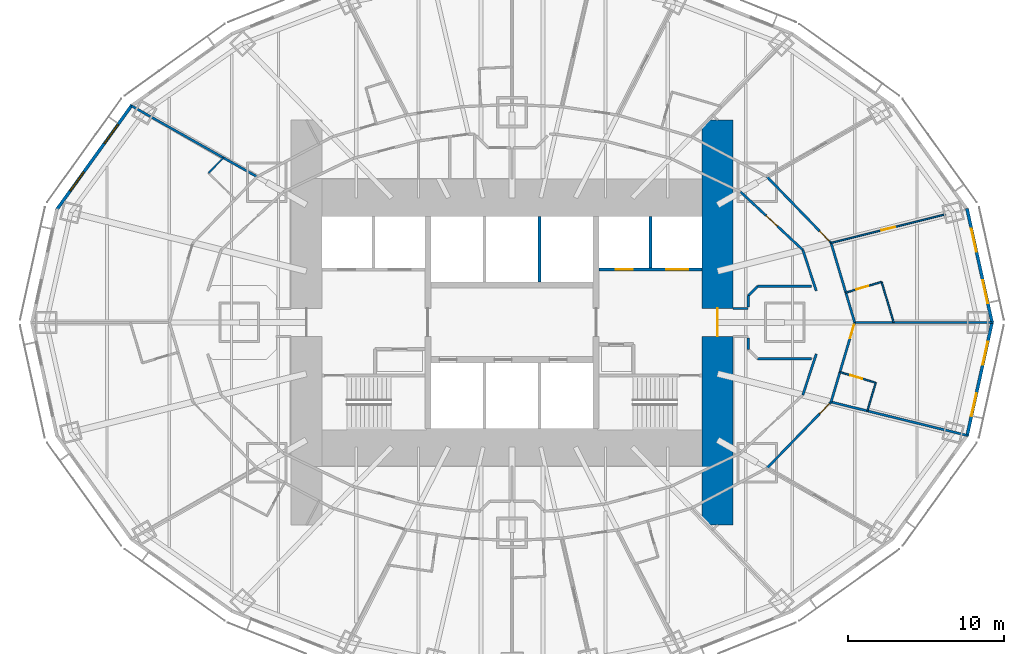
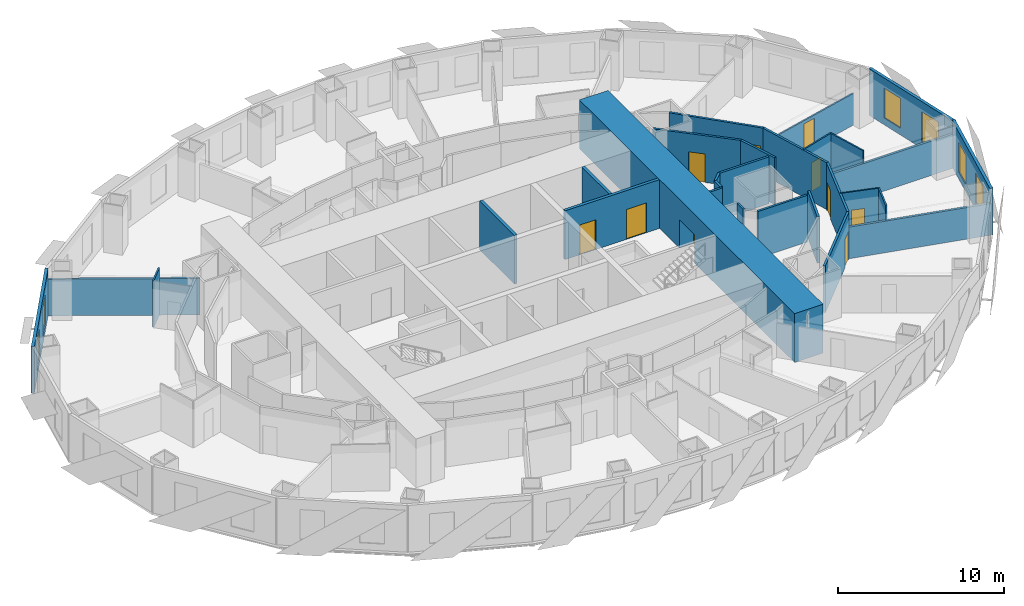
# One storey, part 8 of 15: 29 walls, 10 doors, 6 windows, 16 openings.
"""IFC4 building model written with IfcOpenShell, lengths in metres."""

from ifc_helpers import new_model, si_unit, direction, frame, frame_2d, origin, place, context, subcontext, project, spatial, rectangle, extrude, material, layer, layer_set, type_object, element, fill, save


model = new_model("IFC4")

# Units and contexts
model_context = context("Model", 3, precision=1e-05, world=origin(), true_north=direction((0.0, 1.0)))
body_context = subcontext(model_context, "Body", "Model", "MODEL_VIEW")
ifc_project = project(units=[si_unit("LENGTHUNIT", "METRE"), si_unit("AREAUNIT", "SQUARE_METRE"), si_unit("VOLUMEUNIT", "CUBIC_METRE"), si_unit("PLANEANGLEUNIT", "RADIAN"), si_unit("MASSUNIT", "GRAM", prefix="KILO")], contexts=[model_context])

# Site, building, storey
site_placement = place(None, origin())
site = spatial("IfcSite", under=ifc_project, at=site_placement, CompositionType="ELEMENT")
building_placement = place(site_placement, origin())
building = spatial("IfcBuilding", under=site, at=building_placement, Name="Lantaw Convention Tower", CompositionType="ELEMENT")
storey_placement = place(building_placement, frame((0.0, 0.0, 76.60009765625)))
storey = spatial("IfcBuildingStorey", under=building, at=storey_placement, Name="L17", CompositionType="ELEMENT", Elevation=76.60009765625)

# Wall, opening, door
ifc_material_1 = material(Name="Moisture resistant gypsum board on steel studs", Category="steel")
ifc_layer_1 = layer(ifc_material_1, 0.10009765625)
ifc_layer_set_1 = layer_set([ifc_layer_1], Name="Bathroom wall 100")
wall_type_1 = type_object("IfcWallType", Name="Bathroom wall 100", PredefinedType="PARTITIONING", material=ifc_layer_set_1)
wall_1_placement = place(storey_placement, frame((21.430908203125, 1.917236328125, 0.0), z_axis=(0.0, 0.0, 1.0), x_axis=(0.958639927723, 0.284621659356, 0.0)))
wall_1 = element("IfcWall", 1, at=wall_1_placement, inside=storey, type_object=wall_type_1, Name="Bathroom wall 100", PredefinedType="PARTITIONING", context=body_context, shape_type="SweptSolid", body=[
    extrude(rectangle(XDim=2.400146484375, YDim=0.10009765625, at=frame_2d((1.2001953125, 0.0))), origin(), (0.0, 0.0, 1.0), 3.449951171875),
])
opening_1_placement = place(wall_1_placement, frame((0.699951171875, 0.0, 0.0)))
opening_1 = element("IfcOpeningElement", 2, at=opening_1_placement, cuts=wall_1, Name="Opening L17.27", PredefinedType="OPENING", context=body_context, shape_type="SweptSolid", body=[
    extrude(rectangle(XDim=0.800048828125, YDim=2.10009765625, at=frame_2d((0.39990234375, 1.050048828125))), frame((0.0, 0.06005859375, 0.0), z_axis=(0.0, -1.0, 0.0), x_axis=(1.0, 0.0, 0.0)), (0.0, 0.0, 1.0), 0.1201171875),
])
ifc_material_2 = material(Name="Timber", Category="wood")
door_type_1 = type_object("IfcDoorType", Name="Bathroom door 800", OperationType="SINGLE_SWING_LEFT", PredefinedType="DOOR", material=ifc_material_2)
door_1_placement = place(opening_1_placement, origin())
door_1 = element("IfcDoor", 3, at=door_1_placement, inside=storey, type_object=door_type_1, Name="Bathroom door", OperationType="SINGLE_SWING_LEFT", OverallHeight=2.10009765625, OverallWidth=0.800048828125, PredefinedType="DOOR", context=body_context, shape_type="SweptSolid", body=[
    extrude(rectangle(XDim=0.800048828125, YDim=2.10009765625, at=frame_2d((0.39990234375, 1.050048828125))), frame((0.0, 0.02490234375, 0.0), z_axis=(0.0, -1.0, 0.0), x_axis=(1.0, 0.0, 0.0)), (0.0, 0.0, 1.0), 0.050048828125),
])
fill(opening_1, door_1)

# Walls
wall_2_placement = place(storey_placement, frame((23.731689453125, 2.600341796875, 0.0), z_axis=(0.0, 0.0, 1.0), x_axis=(0.284514277473, -0.958671803025, 0.0)))
element("IfcWall", 4, at=wall_2_placement, inside=storey, type_object=wall_type_1, Name="Bathroom wall 100", PredefinedType="PARTITIONING", context=body_context, shape_type="SweptSolid", body=[
    extrude(rectangle(XDim=2.71240234375, YDim=0.10009765625, at=frame_2d((1.356201171875, 0.0))), origin(), (0.0, 0.0, 1.0), 3.449951171875),
])
wall_3_placement = place(storey_placement, frame((-19.484375, 9.587646484375, 0.0), z_axis=(0.0, 0.0, 1.0), x_axis=(0.695920174922, 0.718119147591, 0.0)))
element("IfcWall", 5, at=wall_3_placement, inside=storey, type_object=wall_type_1, Name="Bathroom wall 100", PredefinedType="PARTITIONING", context=body_context, shape_type="SweptSolid", body=[
    extrude(rectangle(XDim=1.3857421875, YDim=0.10009765625, at=frame_2d((0.69287109375, 0.0))), origin(), (0.0, 0.0, 1.0), 3.449951171875),
])

# Wall, opening, door
wall_4_placement = place(storey_placement, frame((21.052978515625, -3.18994140625, 0.0), z_axis=(0.0, 0.0, 1.0), x_axis=(0.958667679126, -0.284528172593, 0.0)))
wall_4 = element("IfcWall", 6, at=wall_4_placement, inside=storey, type_object=wall_type_1, Name="Bathroom wall 100", PredefinedType="PARTITIONING", context=body_context, shape_type="SweptSolid", body=[
    extrude(rectangle(XDim=2.39990234375, YDim=0.10009765625, at=frame_2d((1.199951171875, 0.0))), origin(), (0.0, 0.0, 1.0), 3.449951171875),
])
opening_2_placement = place(wall_4_placement, frame((0.699951171875, 0.0, 0.0)))
opening_2 = element("IfcOpeningElement", 7, at=opening_2_placement, cuts=wall_4, Name="Opening L17.54", PredefinedType="OPENING", context=body_context, shape_type="SweptSolid", body=[
    extrude(rectangle(XDim=0.800048828125, YDim=2.10009765625, at=frame_2d((0.39990234375, 1.050048828125))), frame((0.0, 0.06005859375, 0.0), z_axis=(0.0, -1.0, 0.0), x_axis=(1.0, 0.0, 0.0)), (0.0, 0.0, 1.0), 0.1201171875),
])
door_2_placement = place(opening_2_placement, origin())
door_2 = element("IfcDoor", 8, at=door_2_placement, inside=storey, type_object=door_type_1, Name="Bathroom door", OperationType="SINGLE_SWING_LEFT", OverallHeight=2.10009765625, OverallWidth=0.800048828125, PredefinedType="DOOR", context=body_context, shape_type="SweptSolid", body=[
    extrude(rectangle(XDim=0.800048828125, YDim=2.10009765625, at=frame_2d((0.39990234375, 1.050048828125))), frame((0.0, 0.02490234375, 0.0), z_axis=(0.0, -1.0, 0.0), x_axis=(1.0, 0.0, 0.0)), (0.0, 0.0, 1.0), 0.050048828125),
])
fill(opening_2, door_2)

# Wall
wall_5_placement = place(storey_placement, frame((23.353759765625, -3.872802734375, 0.0), z_axis=(0.0, 0.0, 1.0), x_axis=(-0.284496480535, -0.958677084613, 0.0)))
element("IfcWall", 9, at=wall_5_placement, inside=storey, type_object=wall_type_1, Name="Bathroom wall 100", PredefinedType="PARTITIONING", context=body_context, shape_type="SweptSolid", body=[
    extrude(rectangle(XDim=1.89404296875, YDim=0.10009765625, at=frame_2d((0.947021484375, 0.0))), origin(), (0.0, 0.0, 1.0), 3.449951171875),
])

# Wall, opening, door
ifc_material_3 = material(Name="Concrete C60/75", Category="concrete")
ifc_layer_2 = layer(ifc_material_3, 2.0)
ifc_layer_set_2 = layer_set([ifc_layer_2], Name="Core wall 2000")
wall_type_2 = type_object("IfcWallType", Name="Core wall 2000", PredefinedType="SHEAR", material=ifc_layer_set_2)
wall_6_placement = place(storey_placement, frame((13.199951171875, -13.0, 0.0), z_axis=(0.0, 0.0, 1.0), x_axis=(0.0, 1.0, 0.0)))
wall_6 = element("IfcWall", 10, at=wall_6_placement, inside=storey, type_object=wall_type_2, Name="Core wall E", PredefinedType="SHEAR", context=body_context, shape_type="SweptSolid", body=[
    extrude(rectangle(XDim=26.0, YDim=2.0, at=frame_2d((13.0, 0.0))), origin(), (0.0, 0.0, 1.0), 3.599853515625),
])
opening_3_placement = place(wall_6_placement, frame((12.10009765625, 0.0, 0.0)))
opening_3 = element("IfcOpeningElement", 11, at=opening_3_placement, cuts=wall_6, Name="Opening L17.07", PredefinedType="OPENING", context=body_context, shape_type="SweptSolid", body=[
    extrude(rectangle(XDim=1.800048828125, YDim=2.10009765625, at=frame_2d((0.89990234375, 1.050048828125))), frame((0.0, 1.010009765625, 0.0), z_axis=(0.0, -1.0, 0.0), x_axis=(1.0, 0.0, 0.0)), (0.0, 0.0, 1.0), 2.02001953125),
])
ifc_material_4 = material(Name="Steel, fire rated", Category="steel")
door_type_2 = type_object("IfcDoorType", Name="Lobby double door FD90", OperationType="DOUBLE_DOOR_DOUBLE_SWING", PredefinedType="DOOR", material=ifc_material_4)
door_3_placement = place(opening_3_placement, origin())
door_3 = element("IfcDoor", 12, at=door_3_placement, inside=storey, type_object=door_type_2, Name="Firefighting lobby door", OperationType="DOUBLE_DOOR_DOUBLE_SWING", OverallHeight=2.10009765625, OverallWidth=1.800048828125, PredefinedType="DOOR", context=body_context, shape_type="SweptSolid", body=[
    extrude(rectangle(XDim=1.800048828125, YDim=2.10009765625, at=frame_2d((0.89990234375, 1.050048828125))), frame((0.0, 0.02490234375, 0.0), z_axis=(0.0, -1.0, 0.0), x_axis=(1.0, 0.0, 0.0)), (0.0, 0.0, 1.0), 0.050048828125),
])
fill(opening_3, door_3)

# Wall
ifc_material_5 = material(Name="Gypsum board on steel studs, fire rated", Category="steel")
ifc_layer_3 = layer(ifc_material_5, 0.14990234375)
ifc_layer_set_3 = layer_set([ifc_layer_3], Name="Corridor wall 150 EI 60")
wall_type_3 = type_object("IfcWallType", Name="Corridor wall 150 EI 60", PredefinedType="PARTITIONING", material=ifc_layer_set_3)
wall_7_placement = place(storey_placement, frame((22.0, 0.0, 0.0), z_axis=(0.0, 0.0, 1.0), x_axis=(-0.284584469409, 0.95865096869, 0.0)))
element("IfcWall", 13, at=wall_7_placement, inside=storey, type_object=wall_type_3, Name="Corridor wall 150", PredefinedType="PARTITIONING", context=body_context, shape_type="SweptSolid", body=[
    extrude(rectangle(XDim=5.327392578125, YDim=0.14990234375, at=frame_2d((2.66357421875, 0.0))), origin(), (0.0, 0.0, 1.0), 3.449951171875),
])

# Wall, opening, door
wall_8_placement = place(storey_placement, frame((20.48388671875, 5.107177734375, 0.0), z_axis=(0.0, 0.0, 1.0), x_axis=(-0.695871090686, 0.71816671125, 0.0)))
wall_8 = element("IfcWall", 14, at=wall_8_placement, inside=storey, type_object=wall_type_3, Name="Corridor wall 150", PredefinedType="PARTITIONING", context=body_context, shape_type="SweptSolid", body=[
    extrude(rectangle(XDim=5.9130859375, YDim=0.14990234375, at=frame_2d((2.95654296875, 0.0))), origin(), (0.0, 0.0, 1.0), 3.449951171875),
])
opening_4_placement = place(wall_8_placement, frame((0.14990234375, 0.0, 0.0)))
opening_4 = element("IfcOpeningElement", 15, at=opening_4_placement, cuts=wall_8, Name="Opening L17.30", PredefinedType="OPENING", context=body_context, shape_type="SweptSolid", body=[
    extrude(rectangle(XDim=0.89990234375, YDim=2.10009765625, at=frame_2d((0.449951171875, 1.050048828125))), frame((0.0, 0.0849609375, 0.0), z_axis=(0.0, -1.0, 0.0), x_axis=(1.0, 0.0, 0.0)), (0.0, 0.0, 1.0), 0.169921875),
])
door_type_3 = type_object("IfcDoorType", Name="Guest room entrance door FD30S", OperationType="SINGLE_SWING_LEFT", PredefinedType="DOOR", material=ifc_material_4)
door_4_placement = place(opening_4_placement, origin())
door_4 = element("IfcDoor", 16, at=door_4_placement, inside=storey, type_object=door_type_3, Name="Suite entrance door", OperationType="SINGLE_SWING_LEFT", OverallHeight=2.10009765625, OverallWidth=0.89990234375, PredefinedType="DOOR", context=body_context, shape_type="SweptSolid", body=[
    extrude(rectangle(XDim=0.89990234375, YDim=2.10009765625, at=frame_2d((0.449951171875, 1.050048828125))), frame((0.0, 0.02490234375, 0.0), z_axis=(0.0, -1.0, 0.0), x_axis=(1.0, 0.0, 0.0)), (0.0, 0.0, 1.0), 0.050048828125),
])
fill(opening_4, door_4)

wall_9_placement = place(storey_placement, frame((16.369140625, -9.353759765625, 0.0), z_axis=(0.0, 0.0, 1.0), x_axis=(0.695871090686, 0.71816671125, 0.0)))
wall_9 = element("IfcWall", 17, at=wall_9_placement, inside=storey, type_object=wall_type_3, Name="Corridor wall 150", PredefinedType="PARTITIONING", context=body_context, shape_type="SweptSolid", body=[
    extrude(rectangle(XDim=5.9130859375, YDim=0.14990234375, at=frame_2d((2.95654296875, 0.0))), origin(), (0.0, 0.0, 1.0), 3.449951171875),
])
opening_5_placement = place(wall_9_placement, frame((4.863037109375, 0.0, 0.0)))
opening_5 = element("IfcOpeningElement", 18, at=opening_5_placement, cuts=wall_9, Name="Opening L17.53", PredefinedType="OPENING", context=body_context, shape_type="SweptSolid", body=[
    extrude(rectangle(XDim=0.89990234375, YDim=2.10009765625, at=frame_2d((0.449951171875, 1.050048828125))), frame((0.0, 0.0849609375, 0.0), z_axis=(0.0, -1.0, 0.0), x_axis=(1.0, 0.0, 0.0)), (0.0, 0.0, 1.0), 0.169921875),
])
door_5_placement = place(opening_5_placement, origin())
door_5 = element("IfcDoor", 19, at=door_5_placement, inside=storey, type_object=door_type_3, Name="Suite entrance door", OperationType="SINGLE_SWING_LEFT", OverallHeight=2.10009765625, OverallWidth=0.89990234375, PredefinedType="DOOR", context=body_context, shape_type="SweptSolid", body=[
    extrude(rectangle(XDim=0.89990234375, YDim=2.10009765625, at=frame_2d((0.449951171875, 1.050048828125))), frame((0.0, 0.02490234375, 0.0), z_axis=(0.0, -1.0, 0.0), x_axis=(1.0, 0.0, 0.0)), (0.0, 0.0, 1.0), 0.050048828125),
])
fill(opening_5, door_5)

wall_10_placement = place(storey_placement, frame((20.48388671875, -5.107177734375, 0.0), z_axis=(0.0, 0.0, 1.0), x_axis=(0.284584469409, 0.95865096869, 0.0)))
wall_10 = element("IfcWall", 20, at=wall_10_placement, inside=storey, type_object=wall_type_3, Name="Corridor wall 150", PredefinedType="PARTITIONING", context=body_context, shape_type="SweptSolid", body=[
    extrude(rectangle(XDim=5.327392578125, YDim=0.14990234375, at=frame_2d((2.66357421875, 0.0))), origin(), (0.0, 0.0, 1.0), 3.449951171875),
])
opening_6_placement = place(wall_10_placement, frame((4.277587890625, 0.0, 0.0)))
opening_6 = element("IfcOpeningElement", 21, at=opening_6_placement, cuts=wall_10, Name="Opening L17.55", PredefinedType="OPENING", context=body_context, shape_type="SweptSolid", body=[
    extrude(rectangle(XDim=0.89990234375, YDim=2.10009765625, at=frame_2d((0.449951171875, 1.050048828125))), frame((0.0, 0.0849609375, 0.0), z_axis=(0.0, -1.0, 0.0), x_axis=(1.0, 0.0, 0.0)), (0.0, 0.0, 1.0), 0.169921875),
])
door_6_placement = place(opening_6_placement, origin())
door_6 = element("IfcDoor", 22, at=door_6_placement, inside=storey, type_object=door_type_3, Name="Guest room entrance door", OperationType="SINGLE_SWING_LEFT", OverallHeight=2.10009765625, OverallWidth=0.89990234375, PredefinedType="DOOR", context=body_context, shape_type="SweptSolid", body=[
    extrude(rectangle(XDim=0.89990234375, YDim=2.10009765625, at=frame_2d((0.449951171875, 1.050048828125))), frame((0.0, 0.02490234375, 0.0), z_axis=(0.0, -1.0, 0.0), x_axis=(1.0, 0.0, 0.0)), (0.0, 0.0, 1.0), 0.050048828125),
])
fill(opening_6, door_6)

wall_11_placement = place(storey_placement, frame((18.671630859375, 4.6552734375, 0.0), z_axis=(0.0, 0.0, 1.0), x_axis=(-0.731260145007, 0.682098673452, 0.0)))
wall_11 = element("IfcWall", 23, at=wall_11_placement, inside=storey, type_object=wall_type_3, Name="Corridor wall 150", PredefinedType="PARTITIONING", context=body_context, shape_type="SweptSolid", body=[
    extrude(rectangle(XDim=5.4677734375, YDim=0.14990234375, at=frame_2d((2.73388671875, 0.0))), origin(), (0.0, 0.0, 1.0), 3.449951171875),
])
opening_7_placement = place(wall_11_placement, frame((2.23388671875, 0.0, 0.0)))
opening_7 = element("IfcOpeningElement", 24, at=opening_7_placement, cuts=wall_11, Name="Opening L17.16", PredefinedType="OPENING", context=body_context, shape_type="SweptSolid", body=[
    extrude(rectangle(XDim=1.0, YDim=2.10009765625, at=frame_2d((0.5, 1.050048828125))), frame((0.0, 0.0849609375, 0.0), z_axis=(0.0, -1.0, 0.0), x_axis=(1.0, 0.0, 0.0)), (0.0, 0.0, 1.0), 0.169921875),
])
door_type_4 = type_object("IfcDoorType", Name="Service door 1000 FD30", OperationType="SINGLE_SWING_LEFT", PredefinedType="DOOR", material=ifc_material_4)
door_7_placement = place(opening_7_placement, origin())
door_7 = element("IfcDoor", 25, at=door_7_placement, inside=storey, type_object=door_type_4, Name="Linen store door", OperationType="SINGLE_SWING_LEFT", OverallHeight=2.10009765625, OverallWidth=1.0, PredefinedType="DOOR", context=body_context, shape_type="SweptSolid", body=[
    extrude(rectangle(XDim=1.0, YDim=2.10009765625, at=frame_2d((0.5, 1.050048828125))), frame((0.0, 0.02490234375, 0.0), z_axis=(0.0, -1.0, 0.0), x_axis=(1.0, 0.0, 0.0)), (0.0, 0.0, 1.0), 0.050048828125),
])
fill(opening_7, door_7)

# Walls
for number, where, z_axis, x_axis, name in (
    (26, (19.533447265625, 2.0302734375, 0.0), (0.0, 0.0, 1.0), (-0.311929965981, 0.950105097515, 0.0), "Corridor wall 150"),
    (27, (18.671630859375, -4.6552734375, 0.0), (0.0, 0.0, 1.0), (0.311929965981, 0.950105097515, 0.0), "Corridor wall 150"),
):
    element("IfcWall", number, at=place(storey_placement, frame(where, z_axis=z_axis, x_axis=x_axis)), inside=storey, type_object=wall_type_3, Name=name, PredefinedType="PARTITIONING", context=body_context, shape_type="SweptSolid", body=[
        extrude(rectangle(XDim=2.762939453125, YDim=0.14990234375, at=frame_2d((1.38134765625, 0.0))), origin(), (0.0, 0.0, 1.0), 3.449951171875),
    ])
wall_12_placement = place(storey_placement, frame((14.199951171875, 0.89990234375, 0.0), z_axis=(0.0, 0.0, 1.0), x_axis=(1.0, 0.0, 0.0)))
element("IfcWall", 28, at=wall_12_placement, inside=storey, type_object=wall_type_3, Name="Corridor wall 150", PredefinedType="PARTITIONING", context=body_context, shape_type="SweptSolid", body=[
    extrude(rectangle(XDim=0.965087890625, YDim=0.14990234375, at=frame_2d((0.482421875, 0.0))), origin(), (0.0, 0.0, 1.0), 3.449951171875),
])
wall_13_placement = place(storey_placement, frame((15.175048828125, 1.003173828125, 0.0), z_axis=(0.0, 0.0, 1.0), x_axis=(0.0, 1.0, 0.0)))
element("IfcWall", 29, at=wall_13_placement, inside=storey, type_object=wall_type_3, Name="Corridor wall 150", PredefinedType="PARTITIONING", context=body_context, shape_type="SweptSolid", body=[
    extrude(rectangle(XDim=0.721435546875, YDim=0.14990234375, at=frame_2d((0.36083984375, 0.0))), origin(), (0.0, 0.0, 1.0), 3.449951171875),
])
wall_14_placement = place(storey_placement, frame((15.175048828125, 1.724609375, 0.0), z_axis=(0.0, 0.0, 1.0), x_axis=(0.707106781187, 0.707106781187, 0.0)))
element("IfcWall", 30, at=wall_14_placement, inside=storey, type_object=wall_type_3, Name="Corridor wall 150", PredefinedType="PARTITIONING", context=body_context, shape_type="SweptSolid", body=[
    extrude(rectangle(XDim=0.84912109375, YDim=0.14990234375, at=frame_2d((0.424560546875, 0.0))), origin(), (0.0, 0.0, 1.0), 3.449951171875),
])
for number, where, z_axis, x_axis, name in (
    (31, (15.775390625, 2.324951171875, 0.0), (0.0, 0.0, 1.0), (1.0, 0.0, 0.0), "Corridor wall 150"),
    (32, (19.224609375, -2.324951171875, 0.0), (0.0, 0.0, 1.0), (-1.0, 0.0, 0.0), "Corridor wall 150"),
):
    element("IfcWall", number, at=place(storey_placement, frame(where, z_axis=z_axis, x_axis=x_axis)), inside=storey, type_object=wall_type_3, Name=name, PredefinedType="PARTITIONING", context=body_context, shape_type="SweptSolid", body=[
        extrude(rectangle(XDim=3.44921875, YDim=0.14990234375, at=frame_2d((1.724609375, 0.0))), origin(), (0.0, 0.0, 1.0), 3.449951171875),
    ])
wall_15_placement = place(storey_placement, frame((15.175048828125, -1.724609375, 0.0), z_axis=(0.0, 0.0, 1.0), x_axis=(0.0, 1.0, 0.0)))
element("IfcWall", 33, at=wall_15_placement, inside=storey, type_object=wall_type_3, Name="Corridor wall 150", PredefinedType="PARTITIONING", context=body_context, shape_type="SweptSolid", body=[
    extrude(rectangle(XDim=0.721435546875, YDim=0.14990234375, at=frame_2d((0.36083984375, 0.0))), origin(), (0.0, 0.0, 1.0), 3.449951171875),
])

# Wall, openings, windows
ifc_material_6 = material(Name="Insulated aluminium panel on steel frame", Category="steel")
ifc_layer_4 = layer(ifc_material_6, 0.199951171875)
ifc_layer_set_4 = layer_set([ifc_layer_4], Name="External wall 200")
wall_type_4 = type_object("IfcWallType", Name="External wall 200", PredefinedType="SOLIDWALL", material=ifc_layer_set_4)
wall_16_placement = place(storey_placement, frame((30.83544921875, -0.06689453125, 0.0), z_axis=(0.0, 0.0, 1.0), x_axis=(-0.215238065514, 0.976561608478, 0.0)))
wall_16 = element("IfcWall", 34, at=wall_16_placement, inside=storey, type_object=wall_type_4, Name="Facade panel wall", PredefinedType="SOLIDWALL", context=body_context, shape_type="SweptSolid", body=[
    extrude(rectangle(XDim=7.562255859375, YDim=0.199951171875, at=frame_2d((3.78125, 0.0))), origin(), (0.0, 0.0, 1.0), 3.449951171875),
])
opening_8_placement = place(wall_16_placement, frame((1.340576171875, 0.0, 0.5)))
opening_8 = element("IfcOpeningElement", 35, at=opening_8_placement, cuts=wall_16, Name="Opening W2", PredefinedType="OPENING", context=body_context, shape_type="SweptSolid", body=[
    extrude(rectangle(XDim=1.5, YDim=2.199951171875, at=frame_2d((0.75, 1.10009765625))), frame((0.0, 0.10986328125, 0.0), z_axis=(0.0, -1.0, 0.0), x_axis=(1.0, 0.0, 0.0)), (0.0, 0.0, 1.0), 0.219970703125),
])
opening_9_placement = place(wall_16_placement, frame((4.7216796875, 0.0, 0.5)))
opening_9 = element("IfcOpeningElement", 36, at=opening_9_placement, cuts=wall_16, Name="Opening W2", PredefinedType="OPENING", context=body_context, shape_type="SweptSolid", body=[
    extrude(rectangle(XDim=1.5, YDim=2.199951171875, at=frame_2d((0.75, 1.10009765625))), frame((0.0, 0.10986328125, 0.0), z_axis=(0.0, -1.0, 0.0), x_axis=(1.0, 0.0, 0.0)), (0.0, 0.0, 1.0), 0.219970703125),
])
ifc_material_7 = material(Name="Aluminium frame, clear insulating glass", Category="aluminium")
window_type = type_object("IfcWindowType", Name="Suite window 1500x2200", PartitioningType="SINGLE_PANEL", PredefinedType="WINDOW", material=ifc_material_7)
window_1_placement = place(opening_8_placement, origin())
window_1 = element("IfcWindow", 37, at=window_1_placement, inside=storey, type_object=window_type, Name="Guest room window", OverallHeight=2.199951171875, OverallWidth=1.5, PartitioningType="SINGLE_PANEL", PredefinedType="WINDOW", context=body_context, shape_type="SweptSolid", body=[
    extrude(rectangle(XDim=1.5, YDim=2.199951171875, at=frame_2d((0.75, 1.10009765625))), frame((0.0, 0.030029296875, 0.0), z_axis=(0.0, -1.0, 0.0), x_axis=(1.0, 0.0, 0.0)), (0.0, 0.0, 1.0), 0.06005859375),
])
fill(opening_8, window_1)
window_2_placement = place(opening_9_placement, origin())
window_2 = element("IfcWindow", 38, at=window_2_placement, inside=storey, type_object=window_type, Name="Guest room window", OverallHeight=2.199951171875, OverallWidth=1.5, PartitioningType="SINGLE_PANEL", PredefinedType="WINDOW", context=body_context, shape_type="SweptSolid", body=[
    extrude(rectangle(XDim=1.5, YDim=2.199951171875, at=frame_2d((0.75, 1.10009765625))), frame((0.0, 0.030029296875, 0.0), z_axis=(0.0, -1.0, 0.0), x_axis=(1.0, 0.0, 0.0)), (0.0, 0.0, 1.0), 0.06005859375),
])
fill(opening_9, window_2)

wall_17_placement = place(storey_placement, frame((-24.400390625, 13.95654296875, 0.0), z_axis=(0.0, 0.0, 1.0), x_axis=(-0.583937613703, -0.811798536155, 0.0)))
wall_17 = element("IfcWall", 39, at=wall_17_placement, inside=storey, type_object=wall_type_4, Name="Facade panel wall", PredefinedType="SOLIDWALL", context=body_context, shape_type="SweptSolid", body=[
    extrude(rectangle(XDim=8.322998046875, YDim=0.199951171875, at=frame_2d((4.16162109375, 0.0))), origin(), (0.0, 0.0, 1.0), 3.449951171875),
])
opening_10_placement = place(wall_17_placement, frame((1.53076171875, 0.0, 0.5)))
opening_10 = element("IfcOpeningElement", 40, at=opening_10_placement, cuts=wall_17, Name="Opening W2", PredefinedType="OPENING", context=body_context, shape_type="SweptSolid", body=[
    extrude(rectangle(XDim=1.5, YDim=2.199951171875, at=frame_2d((0.75, 1.10009765625))), frame((0.0, 0.10986328125, 0.0), z_axis=(0.0, -1.0, 0.0), x_axis=(1.0, 0.0, 0.0)), (0.0, 0.0, 1.0), 0.219970703125),
])
opening_11_placement = place(wall_17_placement, frame((5.292236328125, 0.0, 0.5)))
opening_11 = element("IfcOpeningElement", 41, at=opening_11_placement, cuts=wall_17, Name="Opening W2", PredefinedType="OPENING", context=body_context, shape_type="SweptSolid", body=[
    extrude(rectangle(XDim=1.5, YDim=2.199951171875, at=frame_2d((0.75, 1.10009765625))), frame((0.0, 0.10986328125, 0.0), z_axis=(0.0, -1.0, 0.0), x_axis=(1.0, 0.0, 0.0)), (0.0, 0.0, 1.0), 0.219970703125),
])
window_3_placement = place(opening_10_placement, origin())
window_3 = element("IfcWindow", 42, at=window_3_placement, inside=storey, type_object=window_type, Name="Guest room window", OverallHeight=2.199951171875, OverallWidth=1.5, PartitioningType="SINGLE_PANEL", PredefinedType="WINDOW", context=body_context, shape_type="SweptSolid", body=[
    extrude(rectangle(XDim=1.5, YDim=2.199951171875, at=frame_2d((0.75, 1.10009765625))), frame((0.0, 0.030029296875, 0.0), z_axis=(0.0, -1.0, 0.0), x_axis=(1.0, 0.0, 0.0)), (0.0, 0.0, 1.0), 0.06005859375),
])
fill(opening_10, window_3)
window_4_placement = place(opening_11_placement, origin())
window_4 = element("IfcWindow", 43, at=window_4_placement, inside=storey, type_object=window_type, Name="Guest room window", OverallHeight=2.199951171875, OverallWidth=1.5, PartitioningType="SINGLE_PANEL", PredefinedType="WINDOW", context=body_context, shape_type="SweptSolid", body=[
    extrude(rectangle(XDim=1.5, YDim=2.199951171875, at=frame_2d((0.75, 1.10009765625))), frame((0.0, 0.030029296875, 0.0), z_axis=(0.0, -1.0, 0.0), x_axis=(1.0, 0.0, 0.0)), (0.0, 0.0, 1.0), 0.06005859375),
])
fill(opening_11, window_4)

wall_18_placement = place(storey_placement, frame((29.207763671875, -7.318115234375, 0.0), z_axis=(0.0, 0.0, 1.0), x_axis=(0.215238065514, 0.976561608478, 0.0)))
wall_18 = element("IfcWall", 44, at=wall_18_placement, inside=storey, type_object=wall_type_4, Name="Facade panel wall", PredefinedType="SOLIDWALL", context=body_context, shape_type="SweptSolid", body=[
    extrude(rectangle(XDim=7.562255859375, YDim=0.199951171875, at=frame_2d((3.78125, 0.0))), origin(), (0.0, 0.0, 1.0), 3.449951171875),
])
opening_12_placement = place(wall_18_placement, frame((1.340576171875, 0.0, 0.5)))
opening_12 = element("IfcOpeningElement", 45, at=opening_12_placement, cuts=wall_18, Name="Opening W2", PredefinedType="OPENING", context=body_context, shape_type="SweptSolid", body=[
    extrude(rectangle(XDim=1.5, YDim=2.199951171875, at=frame_2d((0.75, 1.10009765625))), frame((0.0, 0.10986328125, 0.0), z_axis=(0.0, -1.0, 0.0), x_axis=(1.0, 0.0, 0.0)), (0.0, 0.0, 1.0), 0.219970703125),
])
opening_13_placement = place(wall_18_placement, frame((4.7216796875, 0.0, 0.5)))
opening_13 = element("IfcOpeningElement", 46, at=opening_13_placement, cuts=wall_18, Name="Opening W2", PredefinedType="OPENING", context=body_context, shape_type="SweptSolid", body=[
    extrude(rectangle(XDim=1.5, YDim=2.199951171875, at=frame_2d((0.75, 1.10009765625))), frame((0.0, 0.10986328125, 0.0), z_axis=(0.0, -1.0, 0.0), x_axis=(1.0, 0.0, 0.0)), (0.0, 0.0, 1.0), 0.219970703125),
])
window_5_placement = place(opening_12_placement, origin())
window_5 = element("IfcWindow", 47, at=window_5_placement, inside=storey, type_object=window_type, Name="Guest room window", OverallHeight=2.199951171875, OverallWidth=1.5, PartitioningType="SINGLE_PANEL", PredefinedType="WINDOW", context=body_context, shape_type="SweptSolid", body=[
    extrude(rectangle(XDim=1.5, YDim=2.199951171875, at=frame_2d((0.75, 1.10009765625))), frame((0.0, 0.030029296875, 0.0), z_axis=(0.0, -1.0, 0.0), x_axis=(1.0, 0.0, 0.0)), (0.0, 0.0, 1.0), 0.06005859375),
])
fill(opening_12, window_5)
window_6_placement = place(opening_13_placement, origin())
window_6 = element("IfcWindow", 48, at=window_6_placement, inside=storey, type_object=window_type, Name="Guest room window", OverallHeight=2.199951171875, OverallWidth=1.5, PartitioningType="SINGLE_PANEL", PredefinedType="WINDOW", context=body_context, shape_type="SweptSolid", body=[
    extrude(rectangle(XDim=1.5, YDim=2.199951171875, at=frame_2d((0.75, 1.10009765625))), frame((0.0, 0.030029296875, 0.0), z_axis=(0.0, -1.0, 0.0), x_axis=(1.0, 0.0, 0.0)), (0.0, 0.0, 1.0), 0.06005859375),
])
fill(opening_13, window_6)

# Walls
ifc_material_8 = material(Name="Gypsum board on steel studs, acoustic", Category="steel")
ifc_layer_5 = layer(ifc_material_8, 0.14990234375)
ifc_layer_set_5 = layer_set([ifc_layer_5], Name="Guest room party wall 150")
wall_type_5 = type_object("IfcWallType", Name="Guest room party wall 150", PredefinedType="PARTITIONING", material=ifc_layer_set_5)
wall_19_placement = place(storey_placement, frame((30.82080078125, 0.0, 0.0), z_axis=(0.0, 0.0, 1.0), x_axis=(-1.0, 0.0, 0.0)))
element("IfcWall", 49, at=wall_19_placement, inside=storey, type_object=wall_type_5, Name="Guest room party wall 150", PredefinedType="PARTITIONING", context=body_context, shape_type="SweptSolid", body=[
    extrude(rectangle(XDim=8.82080078125, YDim=0.14990234375, at=frame_2d((4.410400390625, 0.0))), origin(), (0.0, 0.0, 1.0), 2.52783203125),
])
wall_20_placement = place(storey_placement, frame((-24.434814453125, 13.90869140625, 0.0), z_axis=(0.0, 0.0, 1.0), x_axis=(0.870744406136, -0.491735883563, 0.0)))
element("IfcWall", 50, at=wall_20_placement, inside=storey, type_object=wall_type_5, Name="Guest room party wall 150", PredefinedType="PARTITIONING", context=body_context, shape_type="SweptSolid", body=[
    extrude(rectangle(XDim=9.262939453125, YDim=0.14990234375, at=frame_2d((4.63134765625, 0.0))), origin(), (0.0, 0.0, 1.0), 2.69287109375),
])
wall_21_placement = place(storey_placement, frame((29.221923828125, -7.253662109375, 0.0), z_axis=(0.0, 0.0, 1.0), x_axis=(-0.971128703136, 0.238556160989, 0.0)))
element("IfcWall", 51, at=wall_21_placement, inside=storey, type_object=wall_type_5, Name="Guest room party wall 150", PredefinedType="PARTITIONING", context=body_context, shape_type="SweptSolid", body=[
    extrude(rectangle(XDim=8.997802734375, YDim=0.14990234375, at=frame_2d((4.4990234375, 0.0))), origin(), (0.0, 0.0, 1.0), 2.332275390625),
])
ifc_material_9 = material(Name="Concrete blockwork, fire rated", Category="masonry")
ifc_layer_6 = layer(ifc_material_9, 0.199951171875)
ifc_layer_set_6 = layer_set([ifc_layer_6], Name="Shaft wall 200")
wall_type_6 = type_object("IfcWallType", Name="Shaft wall 200", PredefinedType="SOLIDWALL", material=ifc_layer_set_6)
wall_22_placement = place(storey_placement, frame((1.7666015625, 2.60009765625, 0.0), z_axis=(0.0, 0.0, 1.0), x_axis=(0.0, 1.0, 0.0)))
element("IfcWall", 52, at=wall_22_placement, inside=storey, type_object=wall_type_6, Name="Shaft wall DN2", PredefinedType="SOLIDWALL", context=body_context, shape_type="SweptSolid", body=[
    extrude(rectangle(XDim=4.199951171875, YDim=0.199951171875, at=frame_2d((2.10009765625, 0.0))), origin(), (0.0, 0.0, 1.0), 3.599853515625),
])

# Wall, openings, doors
wall_23_placement = place(storey_placement, frame((12.199951171875, 3.39990234375, 0.0), z_axis=(0.0, 0.0, 1.0), x_axis=(-1.0, 0.0, 0.0)))
wall_23 = element("IfcWall", 53, at=wall_23_placement, inside=storey, type_object=wall_type_6, Name="Shaft wall EN", PredefinedType="SOLIDWALL", context=body_context, shape_type="SweptSolid", body=[
    extrude(rectangle(XDim=6.599853515625, YDim=0.199951171875, at=frame_2d((3.2998046875, 0.0))), origin(), (0.0, 0.0, 1.0), 3.599853515625),
])
opening_14_placement = place(wall_23_placement, frame((4.449951171875, 0.0, 0.0)))
opening_14 = element("IfcOpeningElement", 54, at=opening_14_placement, cuts=wall_23, Name="Opening L17.14", PredefinedType="OPENING", context=body_context, shape_type="SweptSolid", body=[
    extrude(rectangle(XDim=1.10009765625, YDim=2.199951171875, at=frame_2d((0.550048828125, 1.10009765625))), frame((0.0, 0.10986328125, 0.0), z_axis=(0.0, -1.0, 0.0), x_axis=(1.0, 0.0, 0.0)), (0.0, 0.0, 1.0), 0.219970703125),
])
opening_15_placement = place(wall_23_placement, frame((0.89990234375, 0.0, 0.0)))
opening_15 = element("IfcOpeningElement", 55, at=opening_15_placement, cuts=wall_23, Name="Opening L17.15", PredefinedType="OPENING", context=body_context, shape_type="SweptSolid", body=[
    extrude(rectangle(XDim=1.39990234375, YDim=2.199951171875, at=frame_2d((0.699951171875, 1.10009765625))), frame((0.0, 0.10986328125, 0.0), z_axis=(0.0, -1.0, 0.0), x_axis=(1.0, 0.0, 0.0)), (0.0, 0.0, 1.0), 0.219970703125),
])
ifc_material_10 = material(Name="Stainless steel", Category="steel")
door_type_5 = type_object("IfcDoorType", Name="Lift landing door 1100", OperationType="DOUBLE_DOOR_SLIDING", PredefinedType="DOOR", material=ifc_material_10)
door_8_placement = place(opening_14_placement, origin())
door_8 = element("IfcDoor", 56, at=door_8_placement, inside=storey, type_object=door_type_5, Name="Lift landing door FF2", OperationType="DOUBLE_DOOR_SLIDING", OverallHeight=2.199951171875, OverallWidth=1.10009765625, PredefinedType="DOOR", context=body_context, shape_type="SweptSolid", body=[
    extrude(rectangle(XDim=1.10009765625, YDim=2.199951171875, at=frame_2d((0.550048828125, 1.10009765625))), frame((0.0, 0.02490234375, 0.0), z_axis=(0.0, -1.0, 0.0), x_axis=(1.0, 0.0, 0.0)), (0.0, 0.0, 1.0), 0.050048828125),
])
fill(opening_14, door_8)
door_type_6 = type_object("IfcDoorType", Name="Lift landing door 1400", OperationType="DOUBLE_DOOR_SLIDING", PredefinedType="DOOR", material=ifc_material_10)
door_9_placement = place(opening_15_placement, origin())
door_9 = element("IfcDoor", 57, at=door_9_placement, inside=storey, type_object=door_type_6, Name="Lift landing door SV2", OperationType="DOUBLE_DOOR_SLIDING", OverallHeight=2.199951171875, OverallWidth=1.39990234375, PredefinedType="DOOR", context=body_context, shape_type="SweptSolid", body=[
    extrude(rectangle(XDim=1.39990234375, YDim=2.199951171875, at=frame_2d((0.699951171875, 1.10009765625))), frame((0.0, 0.02490234375, 0.0), z_axis=(0.0, -1.0, 0.0), x_axis=(1.0, 0.0, 0.0)), (0.0, 0.0, 1.0), 0.050048828125),
])
fill(opening_15, door_9)

# Wall
wall_24_placement = place(storey_placement, frame((8.89990234375, 3.5, 0.0), z_axis=(0.0, 0.0, 1.0), x_axis=(0.0, 1.0, 0.0)))
element("IfcWall", 58, at=wall_24_placement, inside=storey, type_object=wall_type_6, Name="Shaft wall ED", PredefinedType="SOLIDWALL", context=body_context, shape_type="SweptSolid", body=[
    extrude(rectangle(XDim=3.300048828125, YDim=0.199951171875, at=frame_2d((1.64990234375, 0.0))), origin(), (0.0, 0.0, 1.0), 3.599853515625),
])

# Wall, opening, door
ifc_material_11 = material(Name="Gypsum board on steel studs", Category="steel")
ifc_layer_7 = layer(ifc_material_11, 0.10009765625)
ifc_layer_set_7 = layer_set([ifc_layer_7], Name="Suite partition 100")
wall_type_7 = type_object("IfcWallType", Name="Suite partition 100", PredefinedType="PARTITIONING", material=ifc_layer_set_7)
wall_25_placement = place(storey_placement, frame((27.832763671875, 6.939453125, 0.0), z_axis=(0.0, 0.0, 1.0), x_axis=(-0.970295894358, -0.24192122146, 0.0)))
wall_25 = element("IfcWall", 59, at=wall_25_placement, inside=storey, type_object=wall_type_7, Name="Suite partition 100", PredefinedType="PARTITIONING", context=body_context, shape_type="SweptSolid", body=[
    extrude(rectangle(XDim=7.57373046875, YDim=0.10009765625, at=frame_2d((3.786865234375, 0.0))), origin(), (0.0, 0.0, 1.0), 2.332275390625),
])
opening_16_placement = place(wall_25_placement, frame((3.3369140625, 0.0, 0.0)))
opening_16 = element("IfcOpeningElement", 60, at=opening_16_placement, cuts=wall_25, Name="Opening L17.28", PredefinedType="OPENING", context=body_context, shape_type="SweptSolid", body=[
    extrude(rectangle(XDim=0.89990234375, YDim=2.10009765625, at=frame_2d((0.449951171875, 1.050048828125))), frame((0.0, 0.06005859375, 0.0), z_axis=(0.0, -1.0, 0.0), x_axis=(1.0, 0.0, 0.0)), (0.0, 0.0, 1.0), 0.1201171875),
])
door_type_7 = type_object("IfcDoorType", Name="Suite door 900", OperationType="SINGLE_SWING_LEFT", PredefinedType="DOOR", material=ifc_material_2)
door_10_placement = place(opening_16_placement, origin())
door_10 = element("IfcDoor", 61, at=door_10_placement, inside=storey, type_object=door_type_7, Name="Bedroom door", OperationType="SINGLE_SWING_LEFT", OverallHeight=2.10009765625, OverallWidth=0.89990234375, PredefinedType="DOOR", context=body_context, shape_type="SweptSolid", body=[
    extrude(rectangle(XDim=0.89990234375, YDim=2.10009765625, at=frame_2d((0.449951171875, 1.050048828125))), frame((0.0, 0.02490234375, 0.0), z_axis=(0.0, -1.0, 0.0), x_axis=(1.0, 0.0, 0.0)), (0.0, 0.0, 1.0), 0.050048828125),
])
fill(opening_16, door_10)

save(model, "model.ifc")
